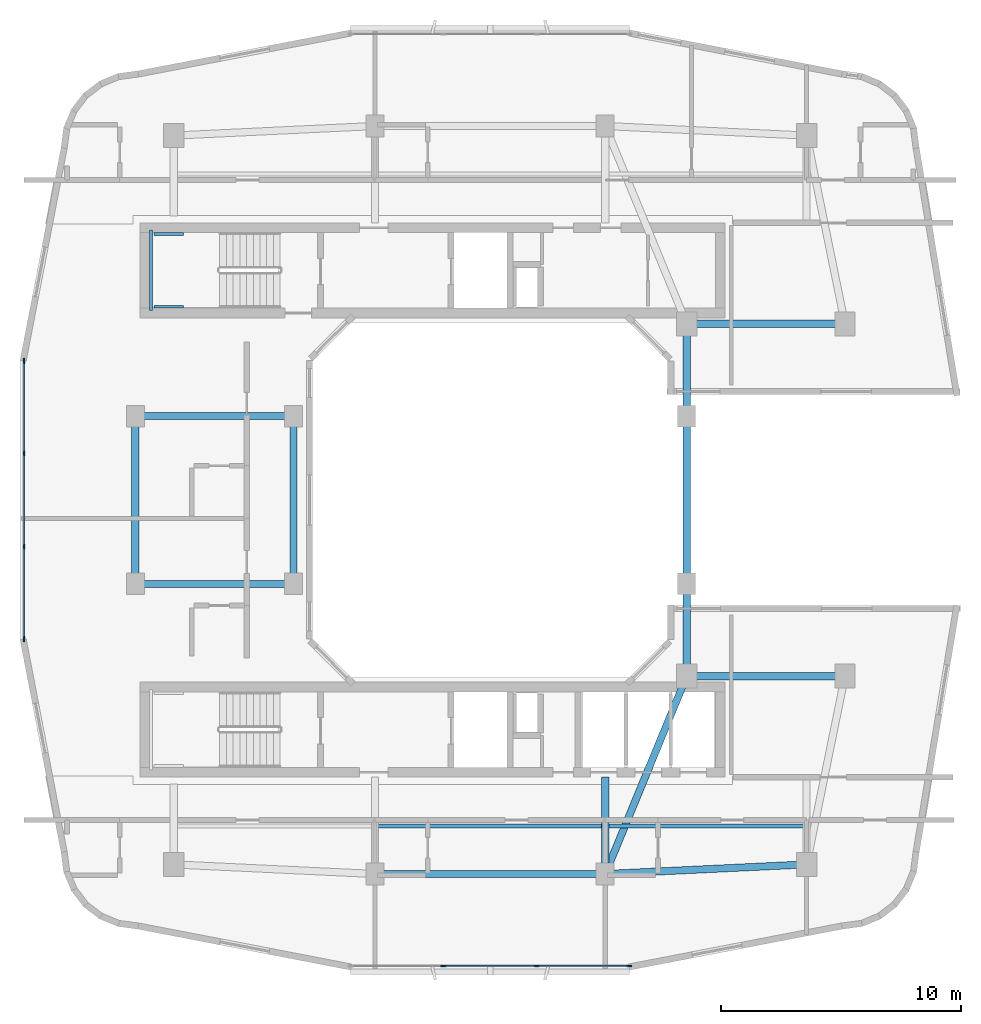
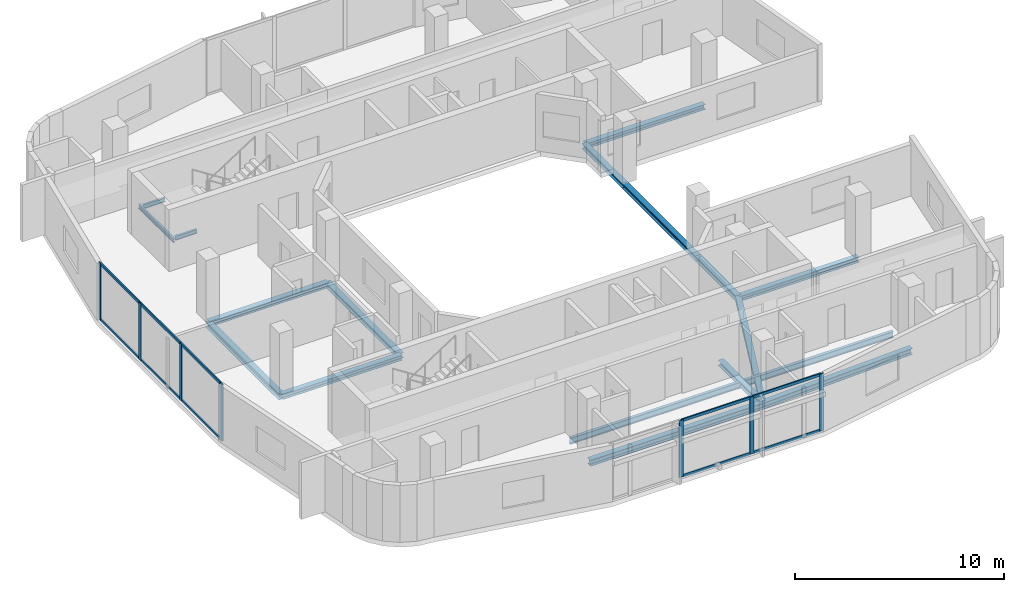
# One storey, part 2 of 12: 18 beams, 17 members, 2 elements without a shape of their own.
"""IFC4 building model written with IfcOpenShell, lengths in metres."""

from ifc_helpers import new_model, si_unit, derived_unit, direction, frame, origin, origin_2d, place, context, subcontext, project, spatial, rectangle, i_section, extrude, material, layer, layer_set, material_profile, profile_set, type_object, element, aggregate, save


model = new_model("IFC4")

# Units and contexts
model_context = context("Model", 3, precision=1e-05, world=origin(), true_north=direction((0.0, 1.0)))
body_context = subcontext(model_context, "Body", "Model", "MODEL_VIEW")
ifc_project = project(units=[si_unit("LENGTHUNIT", "METRE"), si_unit("AREAUNIT", "SQUARE_METRE"), si_unit("VOLUMEUNIT", "CUBIC_METRE"), si_unit("PLANEANGLEUNIT", "RADIAN"), si_unit("MASSUNIT", "GRAM", prefix="KILO"), derived_unit("THERMALTRANSMITTANCEUNIT", [(si_unit("POWERUNIT", "WATT"), 1), (si_unit("LENGTHUNIT", "METRE"), -2), (si_unit("THERMODYNAMICTEMPERATUREUNIT", "KELVIN"), -1)])], contexts=[model_context])

# Site, building, storey
site_placement = place(None, origin())
site = spatial("IfcSite", under=ifc_project, at=site_placement, CompositionType="ELEMENT")
building_placement = place(site_placement, origin())
building = spatial("IfcBuilding", under=site, at=building_placement, Name="Kivonza Crest Hotel", CompositionType="ELEMENT")
storey_placement = place(building_placement, frame((0.0, 0.0, 188.300048828125)))
storey = spatial("IfcBuildingStorey", under=building, at=storey_placement, Name="L51", CompositionType="ELEMENT", Elevation=188.300048828125)

# Beams
ifc_material_1 = material(Name="Steel S355", Category="steel")
ifc_material_profile_1 = material_profile(ifc_material_1, i_section(OverallWidth=0.300048828125, OverallDepth=0.300048828125, WebThickness=0.010986328125, FlangeThickness=0.01904296875, FilletRadius=0.027099609375, at=origin_2d()), Name="HEB 300")
ifc_profile_set_1 = profile_set([ifc_material_profile_1], Name="Steel S355")
beam_type_1 = type_object("IfcBeamType", Name="BM-HEB300", PredefinedType="BEAM", material=ifc_profile_set_1)
for number, where, z_axis, x_axis, name in (
    (1, (6.199951171875, 21.5, -0.429931640625), (1.0, 0.0, 0.0), (0.0, 1.0, 0.0), "Tower T1 L51 primary girder W1-WL1"),
    (2, (6.199951171875, 28.5, -0.429931640625), (1.0, 0.0, 0.0), (0.0, 1.0, 0.0), "Tower T1 L51 primary girder W2-WL2"),
):
    element("IfcBeam", number, at=place(storey_placement, frame(where, z_axis=z_axis, x_axis=x_axis)), inside=storey, type_object=beam_type_1, Name=name, PredefinedType="BEAM", context=body_context, shape_type="SweptSolid", body=[
        extrude(i_section(OverallWidth=0.300048828125, OverallDepth=0.300048828125, WebThickness=0.010986328125, FlangeThickness=0.01904296875, FilletRadius=0.027099609375, at=origin_2d()), origin(), (0.0, 0.0, 1.0), 6.60009765625),
    ])
beam_1_placement = place(storey_placement, frame((12.800048828125, 21.5, -0.429931640625), z_axis=(0.0, 1.0, 0.0), x_axis=(-1.0, 0.0, 0.0)))
element("IfcBeam", 3, at=beam_1_placement, inside=storey, type_object=beam_type_1, Name="Tower T1 L51 primary girder WL1-WL2", PredefinedType="BEAM", context=body_context, shape_type="SweptSolid", body=[
    extrude(i_section(OverallWidth=0.300048828125, OverallDepth=0.300048828125, WebThickness=0.010986328125, FlangeThickness=0.01904296875, FilletRadius=0.027099609375, at=origin_2d()), origin(), (0.0, 0.0, 1.0), 7.0),
])
beam_2_placement = place(storey_placement, frame((25.800048828125, 9.39990234375, -0.429931640625), z_axis=(0.381022260404, 0.924565864109, 0.0), x_axis=(-0.924565864109, 0.381022260404, 0.0)))
element("IfcBeam", 4, at=beam_2_placement, inside=storey, type_object=beam_type_1, Name="Tower T1 L51 primary girder S1-TSE", PredefinedType="BEAM", context=body_context, shape_type="SweptSolid", body=[
    extrude(i_section(OverallWidth=0.300048828125, OverallDepth=0.300048828125, WebThickness=0.010986328125, FlangeThickness=0.01904296875, FilletRadius=0.027099609375, at=origin_2d()), origin(), (0.0, 0.0, 1.0), 8.923095703125),
])
for number, where, z_axis, x_axis, name in (
    (5, (29.199951171875, 17.64990234375, -0.429931640625), (1.0, 0.0, 0.0), (0.0, 1.0, 0.0), "Tower T1 L51 primary girder TSE-PSE"),
    (6, (29.199951171875, 32.35009765625, -0.429931640625), (1.0, 0.0, 0.0), (0.0, 1.0, 0.0), "Tower T1 L51 primary girder TNE-PNE"),
):
    element("IfcBeam", number, at=place(storey_placement, frame(where, z_axis=z_axis, x_axis=x_axis)), inside=storey, type_object=beam_type_1, Name=name, PredefinedType="BEAM", context=body_context, shape_type="SweptSolid", body=[
        extrude(i_section(OverallWidth=0.300048828125, OverallDepth=0.300048828125, WebThickness=0.010986328125, FlangeThickness=0.01904296875, FilletRadius=0.027099609375, at=origin_2d()), origin(), (0.0, 0.0, 1.0), 6.60009765625),
    ])
beam_3_placement = place(storey_placement, frame((29.199951171875, 21.5, -0.429931640625), z_axis=(0.0, 1.0, 0.0), x_axis=(-1.0, 0.0, 0.0)))
element("IfcBeam", 7, at=beam_3_placement, inside=storey, type_object=beam_type_1, Name="Tower T1 L51 primary girder WR1-WR2", PredefinedType="BEAM", context=body_context, shape_type="SweptSolid", body=[
    extrude(i_section(OverallWidth=0.300048828125, OverallDepth=0.300048828125, WebThickness=0.010986328125, FlangeThickness=0.01904296875, FilletRadius=0.027099609375, at=origin_2d()), origin(), (0.0, 0.0, 1.0), 7.0),
])
for number, where, z_axis, x_axis, name in (
    (8, (29.199951171875, 17.64990234375, -0.429931640625), (0.0, 1.0, 0.0), (-1.0, 0.0, 0.0), "Tower T1 L51 primary girder TSE-WR1"),
    (9, (29.199951171875, 28.5, -0.429931640625), (0.0, 1.0, 0.0), (-1.0, 0.0, 0.0), "Tower T1 L51 primary girder WR2-TNE"),
):
    element("IfcBeam", number, at=place(storey_placement, frame(where, z_axis=z_axis, x_axis=x_axis)), inside=storey, type_object=beam_type_1, Name=name, PredefinedType="BEAM", context=body_context, shape_type="SweptSolid", body=[
        extrude(i_section(OverallWidth=0.300048828125, OverallDepth=0.300048828125, WebThickness=0.010986328125, FlangeThickness=0.01904296875, FilletRadius=0.027099609375, at=origin_2d()), origin(), (0.0, 0.0, 1.0), 3.85009765625),
    ])
beam_4_placement = place(storey_placement, frame((25.800048828125, 9.39990234375, -0.429931640625), z_axis=(0.0, 1.0, 0.0), x_axis=(-1.0, 0.0, 0.0)))
element("IfcBeam", 10, at=beam_4_placement, inside=storey, type_object=beam_type_1, Name="Tower T1 L51 radial core girder RS2", PredefinedType="BEAM", context=body_context, shape_type="SweptSolid", body=[
    extrude(i_section(OverallWidth=0.300048828125, OverallDepth=0.300048828125, WebThickness=0.010986328125, FlangeThickness=0.01904296875, FilletRadius=0.027099609375, at=origin_2d()), origin(), (0.0, 0.0, 1.0), 4.050048828125),
])
ifc_material_profile_2 = material_profile(ifc_material_1, i_section(OverallWidth=0.300048828125, OverallDepth=0.360107421875, WebThickness=0.012451171875, FlangeThickness=0.0224609375, FilletRadius=0.027099609375, at=origin_2d()), Name="HEB 360")
ifc_profile_set_2 = profile_set([ifc_material_profile_2], Name="Steel S355")
beam_type_2 = type_object("IfcBeamType", Name="BM-HEB360", PredefinedType="SPANDREL", material=ifc_profile_set_2)
beam_5_placement = place(storey_placement, frame((16.199951171875, 9.39990234375, -0.4599609375), z_axis=(1.0, 0.0, 0.0), x_axis=(0.0, 1.0, 0.0)))
element("IfcBeam", 11, at=beam_5_placement, inside=storey, type_object=beam_type_2, Name="Tower T1 L51 perimeter spandrel S1-S2", PredefinedType="SPANDREL", context=body_context, shape_type="SweptSolid", body=[
    extrude(i_section(OverallWidth=0.300048828125, OverallDepth=0.360107421875, WebThickness=0.012451171875, FlangeThickness=0.0224609375, FilletRadius=0.027099609375, at=origin_2d()), origin(), (0.0, 0.0, 1.0), 9.60009765625),
])
beam_6_placement = place(storey_placement, frame((25.800048828125, 9.39990234375, -0.4599609375), z_axis=(0.998867283688, 0.047583080799, 0.0), x_axis=(-0.047583080799, 0.998867283688, 0.0)))
element("IfcBeam", 12, at=beam_6_placement, inside=storey, type_object=beam_type_2, Name="Tower T1 L51 perimeter spandrel S2-SE", PredefinedType="SPANDREL", context=body_context, shape_type="SweptSolid", body=[
    extrude(i_section(OverallWidth=0.300048828125, OverallDepth=0.360107421875, WebThickness=0.012451171875, FlangeThickness=0.0224609375, FilletRadius=0.027099609375, at=origin_2d()), origin(), (0.0, 0.0, 1.0), 8.409423828125),
])
beam_7_placement = place(storey_placement, frame((6.199951171875, 28.5, -0.4599609375), z_axis=(0.0, -1.0, 0.0), x_axis=(1.0, 0.0, 0.0)))
element("IfcBeam", 13, at=beam_7_placement, inside=storey, type_object=beam_type_2, Name="Tower T1 L51 perimeter spandrel W2-W1", PredefinedType="SPANDREL", context=body_context, shape_type="SweptSolid", body=[
    extrude(i_section(OverallWidth=0.300048828125, OverallDepth=0.360107421875, WebThickness=0.012451171875, FlangeThickness=0.0224609375, FilletRadius=0.027099609375, at=origin_2d()), origin(), (0.0, 0.0, 1.0), 7.0),
])
ifc_material_profile_3 = material_profile(ifc_material_1, i_section(OverallWidth=0.169921875, OverallDepth=0.360107421875, WebThickness=0.008056640625, FlangeThickness=0.0126953125, FilletRadius=0.01806640625, at=origin_2d()), Name="IPE 360")
ifc_profile_set_3 = profile_set([ifc_material_profile_3], Name="Steel S355")
beam_type_3 = type_object("IfcBeamType", Name="BM-IPE360", PredefinedType="JOIST", material=ifc_profile_set_3)
beam_8_placement = place(storey_placement, frame((16.280029296875, 11.39990234375, -0.4599609375), z_axis=(1.0, 0.0, 0.0), x_axis=(0.0, 1.0, 0.0)))
element("IfcBeam", 14, at=beam_8_placement, inside=storey, type_object=beam_type_3, Name="Tower T1 L51 South-Mid floor joist", PredefinedType="JOIST", context=body_context, shape_type="SweptSolid", body=[
    extrude(i_section(OverallWidth=0.169921875, OverallDepth=0.360107421875, WebThickness=0.008056640625, FlangeThickness=0.0126953125, FilletRadius=0.01806640625, at=origin_2d()), origin(), (0.0, 0.0, 1.0), 9.43994140625),
])
beam_9_placement = place(storey_placement, frame((25.8798828125, 11.39990234375, -0.4599609375), z_axis=(1.0, 0.0, 0.0), x_axis=(0.0, 1.0, 0.0)))
element("IfcBeam", 15, at=beam_9_placement, inside=storey, type_object=beam_type_3, Name="Tower T1 L51 South-East floor joist", PredefinedType="JOIST", context=body_context, shape_type="SweptSolid", body=[
    extrude(i_section(OverallWidth=0.169921875, OverallDepth=0.360107421875, WebThickness=0.008056640625, FlangeThickness=0.0126953125, FilletRadius=0.01806640625, at=origin_2d()), origin(), (0.0, 0.0, 1.0), 8.240234375),
])
ifc_material_profile_4 = material_profile(ifc_material_1, i_section(OverallWidth=0.1201171875, OverallDepth=0.239990234375, WebThickness=0.006103515625, FlangeThickness=0.009765625, FilletRadius=0.014892578125, at=origin_2d()), Name="IPE 240")
ifc_profile_set_4 = profile_set([ifc_material_profile_4], Name="Steel S355")
beam_type_4 = type_object("IfcBeamType", Name="BM-LLDG-240", PredefinedType="BEAM", material=ifc_profile_set_4)
beam_10_placement = place(storey_placement, frame((6.860107421875, 32.89990234375, 1.47998046875), z_axis=(0.0, 1.0, 0.0), x_axis=(-1.0, 0.0, 0.0)))
element("IfcBeam", 16, at=beam_10_placement, inside=storey, type_object=beam_type_4, Name="Stair ST-T1-N L51 West landing corbel", PredefinedType="BEAM", context=body_context, shape_type="SweptSolid", body=[
    extrude(i_section(OverallWidth=0.1201171875, OverallDepth=0.239990234375, WebThickness=0.006103515625, FlangeThickness=0.009765625, FilletRadius=0.014892578125, at=origin_2d()), origin(), (0.0, 0.0, 1.0), 3.360107421875),
])
for number, where, z_axis, x_axis, name in (
    (17, (6.989990234375, 33.06005859375, 1.47998046875), (1.0, 0.0, 0.0), (0.0, 1.0, 0.0), "Stair ST-T1-N L51 South landing corbel"),
    (18, (6.989990234375, 36.10009765625, 1.47998046875), (1.0, 0.0, 0.0), (0.0, 1.0, 0.0), "Stair ST-T1-N L51 North landing corbel"),
):
    element("IfcBeam", number, at=place(storey_placement, frame(where, z_axis=z_axis, x_axis=x_axis)), inside=storey, type_object=beam_type_4, Name=name, PredefinedType="BEAM", context=body_context, shape_type="SweptSolid", body=[
        extrude(i_section(OverallWidth=0.1201171875, OverallDepth=0.239990234375, WebThickness=0.006103515625, FlangeThickness=0.009765625, FilletRadius=0.014892578125, at=origin_2d()), origin(), (0.0, 0.0, 1.0), 1.2099609375),
    ])

# Curtain wall, members
ifc_material_2 = material(Name="Anodised bronze aluminium and low-E double glazing", Category="aluminium")
ifc_layer = layer(ifc_material_2, 0.179931640625)
ifc_layer_set = layer_set([ifc_layer], Name="Anodised bronze aluminium and low-E double glazing")
curtain_wall_type = type_object("IfcCurtainWallType", Name="CW-SYS-3", PredefinedType="NOTDEFINED", material=ifc_layer_set)
curtain_wall_1_placement = place(storey_placement, origin())
curtain_wall_1 = element("IfcCurtainWall", 19, at=curtain_wall_1_placement, inside=storey, type_object=curtain_wall_type, Name="L51 unitised curtain wall CW-T1-L51-08", PredefinedType="NOTDEFINED")
ifc_material_3 = material(Name="Anodised bronze aluminium", Category="aluminium")
ifc_material_profile_5 = material_profile(ifc_material_3, rectangle(XDim=0.074951171875, YDim=0.219970703125, at=origin_2d()), Name="CW-M 75x220")
ifc_profile_set_5 = profile_set([ifc_material_profile_5], Name="Anodised bronze aluminium")
member_type_1 = type_object("IfcMemberType", Name="CW-MUL-75x220", PredefinedType="MULLION", material=ifc_profile_set_5)
member_1_placement = place(storey_placement, frame((19.05322265625, 5.56005859375, 0.0), z_axis=(0.0, 0.0, 1.0), x_axis=(0.0, 1.0, 0.0)))
member_1 = element("IfcMember", 20, at=member_1_placement, type_object=member_type_1, Name="CW-3 mullion 2", PredefinedType="MULLION", context=body_context, shape_type="SweptSolid", body=[
    extrude(rectangle(XDim=0.074951171875, YDim=0.219970703125, at=origin_2d()), origin(), (0.0, 0.0, 1.0), 3.320068359375),
])
member_2_placement = place(storey_placement, frame((22.94677734375, 5.56005859375, 0.0), z_axis=(0.0, 0.0, 1.0), x_axis=(0.0, 1.0, 0.0)))
member_2 = element("IfcMember", 21, at=member_2_placement, type_object=member_type_1, Name="CW-3 mullion 3", PredefinedType="MULLION", context=body_context, shape_type="SweptSolid", body=[
    extrude(rectangle(XDim=0.074951171875, YDim=0.219970703125, at=origin_2d()), origin(), (0.0, 0.0, 1.0), 3.320068359375),
])
member_3_placement = place(storey_placement, frame((26.802490234375, 5.56005859375, 0.0), z_axis=(0.0, 0.0, 1.0), x_axis=(0.0, 1.0, 0.0)))
member_3 = element("IfcMember", 22, at=member_3_placement, type_object=member_type_1, Name="CW-3 mullion 4", PredefinedType="MULLION", context=body_context, shape_type="SweptSolid", body=[
    extrude(rectangle(XDim=0.074951171875, YDim=0.219970703125, at=origin_2d()), origin(), (0.0, 0.0, 1.0), 3.320068359375),
])

curtain_wall_2_placement = place(storey_placement, origin())
curtain_wall_2 = element("IfcCurtainWall", 23, at=curtain_wall_2_placement, inside=storey, type_object=curtain_wall_type, Name="L51 unitised curtain wall CW-T1-L51-45", PredefinedType="NOTDEFINED")
member_4_placement = place(storey_placement, frame((1.56005859375, 30.802490234375, 0.0), z_axis=(0.0, 0.0, 1.0), x_axis=(1.0, 0.0, 0.0)))
member_4 = element("IfcMember", 24, at=member_4_placement, type_object=member_type_1, Name="CW-3 mullion 1", PredefinedType="MULLION", context=body_context, shape_type="SweptSolid", body=[
    extrude(rectangle(XDim=0.074951171875, YDim=0.219970703125, at=origin_2d()), origin(), (0.0, 0.0, 1.0), 3.320068359375),
])
member_5_placement = place(storey_placement, frame((1.56005859375, 26.94677734375, 0.0), z_axis=(0.0, 0.0, 1.0), x_axis=(1.0, 0.0, 0.0)))
member_5 = element("IfcMember", 25, at=member_5_placement, type_object=member_type_1, Name="CW-3 mullion 2", PredefinedType="MULLION", context=body_context, shape_type="SweptSolid", body=[
    extrude(rectangle(XDim=0.074951171875, YDim=0.219970703125, at=origin_2d()), origin(), (0.0, 0.0, 1.0), 3.320068359375),
])
member_6_placement = place(storey_placement, frame((1.56005859375, 23.05322265625, 0.0), z_axis=(0.0, 0.0, 1.0), x_axis=(1.0, 0.0, 0.0)))
member_6 = element("IfcMember", 26, at=member_6_placement, type_object=member_type_1, Name="CW-3 mullion 3", PredefinedType="MULLION", context=body_context, shape_type="SweptSolid", body=[
    extrude(rectangle(XDim=0.074951171875, YDim=0.219970703125, at=origin_2d()), origin(), (0.0, 0.0, 1.0), 3.320068359375),
])
member_7_placement = place(storey_placement, frame((1.56005859375, 19.197509765625, 0.0), z_axis=(0.0, 0.0, 1.0), x_axis=(1.0, 0.0, 0.0)))
member_7 = element("IfcMember", 27, at=member_7_placement, type_object=member_type_1, Name="CW-3 mullion 4", PredefinedType="MULLION", context=body_context, shape_type="SweptSolid", body=[
    extrude(rectangle(XDim=0.074951171875, YDim=0.219970703125, at=origin_2d()), origin(), (0.0, 0.0, 1.0), 3.320068359375),
])

# Member
ifc_material_profile_6 = material_profile(ifc_material_3, rectangle(XDim=0.074951171875, YDim=0.159912109375, at=origin_2d()), Name="CW-T 75x160")
ifc_profile_set_6 = profile_set([ifc_material_profile_6], Name="Anodised bronze aluminium")
member_type_2 = type_object("IfcMemberType", Name="CW-TRN-75x160", PredefinedType="USERDEFINED", material=ifc_profile_set_6)
member_8_placement = place(storey_placement, frame((19.0908203125, 5.56005859375, 0.037353515625), z_axis=(1.0, 0.0, 0.0), x_axis=(0.0, 1.0, 0.0)))
member_8 = element("IfcMember", 28, at=member_8_placement, type_object=member_type_2, Name="CW-3 transom 2.1", ObjectType="TRANSOM", PredefinedType="USERDEFINED", context=body_context, shape_type="SweptSolid", body=[
    extrude(rectangle(XDim=0.074951171875, YDim=0.159912109375, at=origin_2d()), origin(), (0.0, 0.0, 1.0), 3.818359375),
])

member_9_placement = place(storey_placement, frame((19.0908203125, 5.56005859375, 3.282470703125), z_axis=(1.0, 0.0, 0.0), x_axis=(0.0, 1.0, 0.0)))
member_9 = element("IfcMember", 29, at=member_9_placement, type_object=member_type_2, Name="CW-3 transom 2.2", ObjectType="TRANSOM", PredefinedType="USERDEFINED", context=body_context, shape_type="SweptSolid", body=[
    extrude(rectangle(XDim=0.074951171875, YDim=0.159912109375, at=origin_2d()), origin(), (0.0, 0.0, 1.0), 3.818359375),
])

member_10_placement = place(storey_placement, frame((22.984130859375, 5.56005859375, 0.037353515625), z_axis=(1.0, 0.0, 0.0), x_axis=(0.0, 1.0, 0.0)))
member_10 = element("IfcMember", 30, at=member_10_placement, type_object=member_type_2, Name="CW-3 transom 3.1", ObjectType="TRANSOM", PredefinedType="USERDEFINED", context=body_context, shape_type="SweptSolid", body=[
    extrude(rectangle(XDim=0.074951171875, YDim=0.159912109375, at=origin_2d()), origin(), (0.0, 0.0, 1.0), 3.78076171875),
])

member_11_placement = place(storey_placement, frame((22.984130859375, 5.56005859375, 3.282470703125), z_axis=(1.0, 0.0, 0.0), x_axis=(0.0, 1.0, 0.0)))
member_11 = element("IfcMember", 31, at=member_11_placement, type_object=member_type_2, Name="CW-3 transom 3.2", ObjectType="TRANSOM", PredefinedType="USERDEFINED", context=body_context, shape_type="SweptSolid", body=[
    extrude(rectangle(XDim=0.074951171875, YDim=0.159912109375, at=origin_2d()), origin(), (0.0, 0.0, 1.0), 3.78076171875),
])

aggregate(curtain_wall_1, [member_1, member_2, member_3, member_8, member_9, member_10, member_11])

member_12_placement = place(storey_placement, frame((1.56005859375, 30.764892578125, 0.037353515625), z_axis=(0.0, -1.0, 0.0), x_axis=(1.0, 0.0, 0.0)))
member_12 = element("IfcMember", 32, at=member_12_placement, type_object=member_type_2, Name="CW-3 transom 1.1", ObjectType="TRANSOM", PredefinedType="USERDEFINED", context=body_context, shape_type="SweptSolid", body=[
    extrude(rectangle(XDim=0.074951171875, YDim=0.159912109375, at=origin_2d()), origin(), (0.0, 0.0, 1.0), 3.78076171875),
])

member_13_placement = place(storey_placement, frame((1.56005859375, 30.764892578125, 3.282470703125), z_axis=(0.0, -1.0, 0.0), x_axis=(1.0, 0.0, 0.0)))
member_13 = element("IfcMember", 33, at=member_13_placement, type_object=member_type_2, Name="CW-3 transom 1.2", ObjectType="TRANSOM", PredefinedType="USERDEFINED", context=body_context, shape_type="SweptSolid", body=[
    extrude(rectangle(XDim=0.074951171875, YDim=0.159912109375, at=origin_2d()), origin(), (0.0, 0.0, 1.0), 3.78076171875),
])

member_14_placement = place(storey_placement, frame((1.56005859375, 26.9091796875, 0.037353515625), z_axis=(0.0, -1.0, 0.0), x_axis=(1.0, 0.0, 0.0)))
member_14 = element("IfcMember", 34, at=member_14_placement, type_object=member_type_2, Name="CW-3 transom 2.1", ObjectType="TRANSOM", PredefinedType="USERDEFINED", context=body_context, shape_type="SweptSolid", body=[
    extrude(rectangle(XDim=0.074951171875, YDim=0.159912109375, at=origin_2d()), origin(), (0.0, 0.0, 1.0), 3.818359375),
])

member_15_placement = place(storey_placement, frame((1.56005859375, 26.9091796875, 3.282470703125), z_axis=(0.0, -1.0, 0.0), x_axis=(1.0, 0.0, 0.0)))
member_15 = element("IfcMember", 35, at=member_15_placement, type_object=member_type_2, Name="CW-3 transom 2.2", ObjectType="TRANSOM", PredefinedType="USERDEFINED", context=body_context, shape_type="SweptSolid", body=[
    extrude(rectangle(XDim=0.074951171875, YDim=0.159912109375, at=origin_2d()), origin(), (0.0, 0.0, 1.0), 3.818359375),
])

member_16_placement = place(storey_placement, frame((1.56005859375, 23.015869140625, 0.037353515625), z_axis=(0.0, -1.0, 0.0), x_axis=(1.0, 0.0, 0.0)))
member_16 = element("IfcMember", 36, at=member_16_placement, type_object=member_type_2, Name="CW-3 transom 3.1", ObjectType="TRANSOM", PredefinedType="USERDEFINED", context=body_context, shape_type="SweptSolid", body=[
    extrude(rectangle(XDim=0.074951171875, YDim=0.159912109375, at=origin_2d()), origin(), (0.0, 0.0, 1.0), 3.78076171875),
])

member_17_placement = place(storey_placement, frame((1.56005859375, 23.015869140625, 3.282470703125), z_axis=(0.0, -1.0, 0.0), x_axis=(1.0, 0.0, 0.0)))
member_17 = element("IfcMember", 37, at=member_17_placement, type_object=member_type_2, Name="CW-3 transom 3.2", ObjectType="TRANSOM", PredefinedType="USERDEFINED", context=body_context, shape_type="SweptSolid", body=[
    extrude(rectangle(XDim=0.074951171875, YDim=0.159912109375, at=origin_2d()), origin(), (0.0, 0.0, 1.0), 3.78076171875),
])

aggregate(curtain_wall_2, [member_4, member_5, member_6, member_7, member_12, member_13, member_14, member_15, member_16, member_17])

save(model, "model.ifc")
